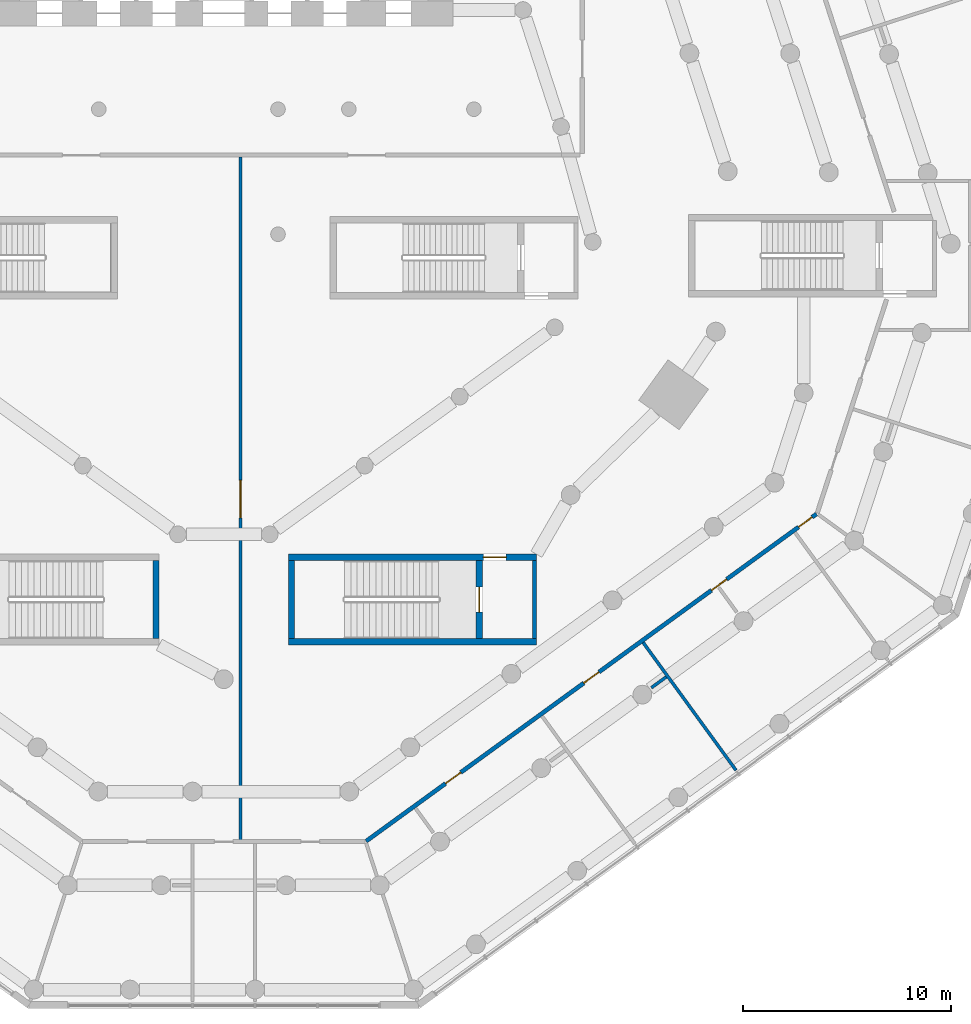
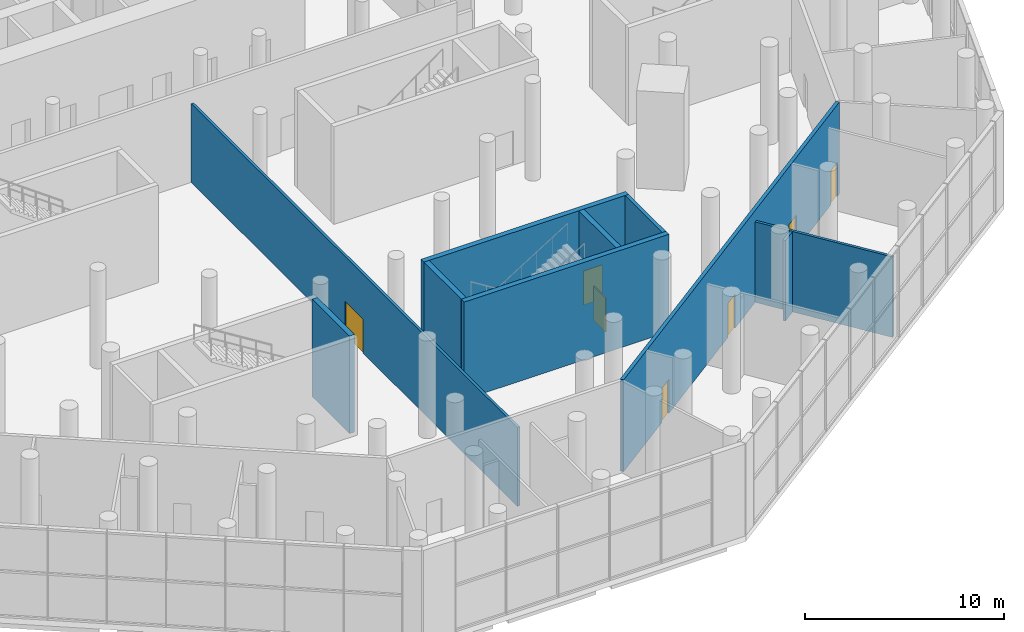
# One storey, part 13 of 23: 10 walls, 7 doors, 7 openings.
"""IFC4 building model written with IfcOpenShell, lengths in metres."""

from ifc_helpers import new_model, si_unit, direction, frame, frame_2d, origin, place, context, subcontext, project, spatial, rectangle, extrude, material, layer, layer_set, type_object, element, fill, save


model = new_model("IFC4")

# Units and contexts
model_context = context("Model", 3, precision=1e-05, world=origin(), true_north=direction((0.0, 1.0)))
body_context = subcontext(model_context, "Body", "Model", "MODEL_VIEW")
ifc_project = project(units=[si_unit("LENGTHUNIT", "METRE"), si_unit("AREAUNIT", "SQUARE_METRE"), si_unit("VOLUMEUNIT", "CUBIC_METRE"), si_unit("PLANEANGLEUNIT", "RADIAN"), si_unit("MASSUNIT", "GRAM", prefix="KILO")], contexts=[model_context])

# Site, building, storey
site_placement = place(None, origin())
site = spatial("IfcSite", under=ifc_project, at=site_placement, CompositionType="ELEMENT")
building_placement = place(site_placement, origin())
building = spatial("IfcBuilding", under=site, at=building_placement, Name="White Candle Pilgrim Tower", CompositionType="ELEMENT")
storey_placement = place(building_placement, frame((0.0, 0.0, 9.0)))
storey = spatial("IfcBuildingStorey", under=building, at=storey_placement, Name="L01", CompositionType="ELEMENT", Elevation=9.0)

# Wall
ifc_material_1 = material(Name="Concrete C70/85", Category="concrete")
ifc_layer_1 = layer(ifc_material_1, 0.199951171875)
ifc_layer_set_1 = layer_set([ifc_layer_1], Name="Core wall 200 mm Concrete C70/85")
wall_type_1 = type_object("IfcWallType", Name="Core wall 200 mm Concrete C70/85", PredefinedType="SHEAR", material=ifc_layer_set_1)
wall_1_placement = place(storey_placement, frame((84.89990234375, 41.60009765625, 0.0), z_axis=(0.0, 0.0, 1.0), x_axis=(0.0, 1.0, 0.0)))
element("IfcWall", 1, at=wall_1_placement, inside=storey, type_object=wall_type_1, Name="WL-L01-C08", PredefinedType="SHEAR", context=body_context, shape_type="SweptSolid", body=[
    extrude(rectangle(XDim=3.75, YDim=0.199951171875, at=frame_2d((1.875, 0.0))), origin(), (0.0, 0.0, 1.0), 6.0),
])

# Wall, openings, doors
ifc_material_2 = material(Name="Gypsum board on steel studs", Category="steel")
ifc_layer_2 = layer(ifc_material_2, 0.199951171875)
ifc_layer_set_2 = layer_set([ifc_layer_2], Name="Corridor wall 200 mm EI 45")
wall_type_2 = type_object("IfcWallType", Name="Corridor wall 200 mm EI 45", PredefinedType="PARTITIONING", material=ifc_layer_set_2)
wall_2_placement = place(storey_placement, frame((98.437255859375, 47.578857421875, 0.0), z_axis=(0.0, 0.0, 1.0), x_axis=(-0.809016646189, -0.587785731529, 0.0)))
wall_2 = element("IfcWall", 2, at=wall_2_placement, inside=storey, type_object=wall_type_2, Name="WL-L01-P009", PredefinedType="PARTITIONING", context=body_context, shape_type="SweptSolid", body=[
    extrude(rectangle(XDim=26.708251953125, YDim=0.199951171875, at=frame_2d((13.35400390625, 0.0))), origin(), (0.0, 0.0, 1.0), 5.64990234375),
])
opening_1_placement = place(wall_2_placement, frame((21.097412109375, 0.0, 0.0)))
opening_1 = element("IfcOpeningElement", 3, at=opening_1_placement, cuts=wall_2, Name="Opening L01-113", PredefinedType="OPENING", context=body_context, shape_type="SweptSolid", body=[
    extrude(rectangle(XDim=0.89990234375, YDim=2.10009765625, at=frame_2d((0.449951171875, 1.050048828125))), frame((0.0, 0.10986328125, 0.0), z_axis=(0.0, -1.0, 0.0), x_axis=(1.0, 0.0, 0.0)), (0.0, 0.0, 1.0), 0.219970703125),
])
opening_2_placement = place(wall_2_placement, frame((12.904052734375, 0.0, 0.0)))
opening_2 = element("IfcOpeningElement", 4, at=opening_2_placement, cuts=wall_2, Name="Opening L01-114", PredefinedType="OPENING", context=body_context, shape_type="SweptSolid", body=[
    extrude(rectangle(XDim=0.89990234375, YDim=2.10009765625, at=frame_2d((0.449951171875, 1.050048828125))), frame((0.0, 0.10986328125, 0.0), z_axis=(0.0, -1.0, 0.0), x_axis=(1.0, 0.0, 0.0)), (0.0, 0.0, 1.0), 0.219970703125),
])
opening_3_placement = place(wall_2_placement, frame((5.3291015625, 0.0, 0.0)))
opening_3 = element("IfcOpeningElement", 5, at=opening_3_placement, cuts=wall_2, Name="Opening L01-115", PredefinedType="OPENING", context=body_context, shape_type="SweptSolid", body=[
    extrude(rectangle(XDim=0.89990234375, YDim=2.10009765625, at=frame_2d((0.449951171875, 1.050048828125))), frame((0.0, 0.10986328125, 0.0), z_axis=(0.0, -1.0, 0.0), x_axis=(1.0, 0.0, 0.0)), (0.0, 0.0, 1.0), 0.219970703125),
])
opening_4_placement = place(wall_2_placement, frame((0.2607421875, 0.0, 0.0)))
opening_4 = element("IfcOpeningElement", 6, at=opening_4_placement, cuts=wall_2, Name="Opening L01-116", PredefinedType="OPENING", context=body_context, shape_type="SweptSolid", body=[
    extrude(rectangle(XDim=0.800048828125, YDim=2.10009765625, at=frame_2d((0.39990234375, 1.050048828125))), frame((0.0, 0.10986328125, 0.0), z_axis=(0.0, -1.0, 0.0), x_axis=(1.0, 0.0, 0.0)), (0.0, 0.0, 1.0), 0.219970703125),
])
ifc_material_3 = material(Name="Steel door leaf", Category="steel")
door_type_1 = type_object("IfcDoorType", Name="Fire door 800 x 2100 EI 30", OperationType="NOTDEFINED", PredefinedType="DOOR", material=ifc_material_3)
door_1_placement = place(opening_4_placement, origin())
door_1 = element("IfcDoor", 7, at=door_1_placement, inside=storey, type_object=door_type_1, Name="Door L01-116", OperationType="SINGLE_SWING_RIGHT", OverallHeight=2.10009765625, OverallWidth=0.800048828125, PredefinedType="DOOR", context=body_context, shape_type="SweptSolid", body=[
    extrude(rectangle(XDim=0.800048828125, YDim=2.10009765625, at=frame_2d((0.39990234375, 1.050048828125))), frame((0.0, 0.02490234375, 0.0), z_axis=(0.0, -1.0, 0.0), x_axis=(1.0, 0.0, 0.0)), (0.0, 0.0, 1.0), 0.050048828125),
])
fill(opening_4, door_1)
door_type_2 = type_object("IfcDoorType", Name="Fire door 900 x 2100 EI 30", OperationType="NOTDEFINED", PredefinedType="DOOR", material=ifc_material_3)
door_2_placement = place(opening_1_placement, origin())
door_2 = element("IfcDoor", 8, at=door_2_placement, inside=storey, type_object=door_type_2, Name="Door L01-113", OperationType="SINGLE_SWING_LEFT", OverallHeight=2.10009765625, OverallWidth=0.89990234375, PredefinedType="DOOR", context=body_context, shape_type="SweptSolid", body=[
    extrude(rectangle(XDim=0.89990234375, YDim=2.10009765625, at=frame_2d((0.449951171875, 1.050048828125))), frame((0.0, 0.02490234375, 0.0), z_axis=(0.0, -1.0, 0.0), x_axis=(1.0, 0.0, 0.0)), (0.0, 0.0, 1.0), 0.050048828125),
])
fill(opening_1, door_2)
door_3_placement = place(opening_2_placement, origin())
door_3 = element("IfcDoor", 9, at=door_3_placement, inside=storey, type_object=door_type_2, Name="Door L01-114", OperationType="SINGLE_SWING_RIGHT", OverallHeight=2.10009765625, OverallWidth=0.89990234375, PredefinedType="DOOR", context=body_context, shape_type="SweptSolid", body=[
    extrude(rectangle(XDim=0.89990234375, YDim=2.10009765625, at=frame_2d((0.449951171875, 1.050048828125))), frame((0.0, 0.02490234375, 0.0), z_axis=(0.0, -1.0, 0.0), x_axis=(1.0, 0.0, 0.0)), (0.0, 0.0, 1.0), 0.050048828125),
])
fill(opening_2, door_3)
door_4_placement = place(opening_3_placement, frame((0.89990234375, 0.0, 0.0), z_axis=(0.0, 0.0, 1.0), x_axis=(-1.0, 0.0, 0.0)))
door_4 = element("IfcDoor", 10, at=door_4_placement, inside=storey, type_object=door_type_2, Name="Door L01-115", OperationType="SINGLE_SWING_RIGHT", OverallHeight=2.10009765625, OverallWidth=0.89990234375, PredefinedType="DOOR", context=body_context, shape_type="SweptSolid", body=[
    extrude(rectangle(XDim=0.89990234375, YDim=2.10009765625, at=frame_2d((0.449951171875, 1.050048828125))), frame((0.0, 0.02490234375, 0.0), z_axis=(0.0, -1.0, 0.0), x_axis=(1.0, 0.0, 0.0)), (0.0, 0.0, 1.0), 0.050048828125),
])
fill(opening_3, door_4)

# Wall
ifc_layer_3 = layer(ifc_material_2, 0.14990234375)
ifc_layer_set_3 = layer_set([ifc_layer_3], Name="Partition 150 mm EI 60")
wall_type_3 = type_object("IfcWallType", Name="Partition 150 mm EI 60", PredefinedType="PARTITIONING", material=ifc_layer_set_3)
wall_3_placement = place(storey_placement, frame((94.57470703125, 35.279541015625, 0.0), z_axis=(0.0, 0.0, 1.0), x_axis=(-0.587779028788, 0.809021515979, 0.0)))
element("IfcWall", 11, at=wall_3_placement, inside=storey, type_object=wall_type_3, Name="WL-L01-P028", PredefinedType="PARTITIONING", context=body_context, shape_type="SweptSolid", body=[
    extrude(rectangle(XDim=7.579833984375, YDim=0.14990234375, at=frame_2d((3.7900390625, 0.0))), origin(), (0.0, 0.0, 1.0), 4.949951171875),
])

# Wall, opening, door
wall_4_placement = place(storey_placement, frame((70.800048828125, 64.699951171875, 0.0), z_axis=(0.0, 0.0, 1.0), x_axis=(0.0, -1.0, 0.0)))
wall_4 = element("IfcWall", 12, at=wall_4_placement, inside=storey, type_object=wall_type_3, Name="WL-L01-P036", PredefinedType="PARTITIONING", context=body_context, shape_type="SweptSolid", body=[
    extrude(rectangle(XDim=32.85888671875, YDim=0.14990234375, at=frame_2d((16.429443359375, 0.0))), origin(), (0.0, 0.0, 1.0), 4.85009765625),
])
opening_5_placement = place(wall_4_placement, frame((15.507080078125, 0.0, 0.0)))
opening_5 = element("IfcOpeningElement", 13, at=opening_5_placement, cuts=wall_4, Name="Opening L01-127", PredefinedType="OPENING", context=body_context, shape_type="SweptSolid", body=[
    extrude(rectangle(XDim=1.800048828125, YDim=2.10009765625, at=frame_2d((0.89990234375, 1.050048828125))), frame((0.0, 0.0849609375, 0.0), z_axis=(0.0, -1.0, 0.0), x_axis=(1.0, 0.0, 0.0)), (0.0, 0.0, 1.0), 0.169921875),
])
door_type_3 = type_object("IfcDoorType", Name="Fire door 1800 x 2100 EI 30", OperationType="NOTDEFINED", PredefinedType="DOOR", material=ifc_material_3)
door_5_placement = place(opening_5_placement, frame((1.800048828125, 0.0, 0.0), z_axis=(0.0, 0.0, 1.0), x_axis=(-1.0, 0.0, 0.0)))
door_5 = element("IfcDoor", 14, at=door_5_placement, inside=storey, type_object=door_type_3, Name="Door L01-127", OperationType="DOUBLE_DOOR_SINGLE_SWING", OverallHeight=2.10009765625, OverallWidth=1.800048828125, PredefinedType="DOOR", context=body_context, shape_type="SweptSolid", body=[
    extrude(rectangle(XDim=1.800048828125, YDim=2.10009765625, at=frame_2d((0.89990234375, 1.050048828125))), frame((0.0, 0.02490234375, 0.0), z_axis=(0.0, -1.0, 0.0), x_axis=(1.0, 0.0, 0.0)), (0.0, 0.0, 1.0), 0.050048828125),
])
fill(opening_5, door_5)

# Walls
wall_5_placement = place(storey_placement, frame((90.510986328125, 39.238525390625, 0.0), z_axis=(0.0, 0.0, 1.0), x_axis=(0.809069729339, 0.587712661993, 0.0)))
element("IfcWall", 15, at=wall_5_placement, inside=storey, type_object=wall_type_3, Name="WL-L01-P046", PredefinedType="PARTITIONING", context=body_context, shape_type="SweptSolid", body=[
    extrude(rectangle(XDim=0.8857421875, YDim=0.14990234375, at=frame_2d((0.44287109375, 0.0))), origin(), (0.0, 0.0, 1.0), 4.949951171875),
])
ifc_layer_4 = layer(ifc_material_1, 0.300048828125)
ifc_layer_set_4 = layer_set([ifc_layer_4], Name="Stair shaft wall 300 mm Concrete C70/85")
wall_type_4 = type_object("IfcWallType", Name="Stair shaft wall 300 mm Concrete C70/85", PredefinedType="SHEAR", material=ifc_layer_set_4)
wall_6_placement = place(storey_placement, frame((73.10009765625, 41.449951171875, 0.0), z_axis=(0.0, 0.0, 1.0), x_axis=(1.0, 0.0, 0.0)))
element("IfcWall", 16, at=wall_6_placement, inside=storey, type_object=wall_type_4, Name="WL-L01-C02", PredefinedType="SHEAR", context=body_context, shape_type="SweptSolid", body=[
    extrude(rectangle(XDim=11.89990234375, YDim=0.300048828125, at=frame_2d((5.949951171875, 0.0))), origin(), (0.0, 0.0, 1.0), 6.0),
])
for number, where, z_axis, x_axis, name in (
    (17, (66.75, 41.60009765625, 0.0), (0.0, 0.0, 1.0), (0.0, 1.0, 0.0), "WL-L01-C05"),
    (18, (73.25, 41.60009765625, 0.0), (0.0, 0.0, 1.0), (0.0, 1.0, 0.0), "WL-L01-C06"),
):
    element("IfcWall", number, at=place(storey_placement, frame(where, z_axis=z_axis, x_axis=x_axis)), inside=storey, type_object=wall_type_4, Name=name, PredefinedType="SHEAR", context=body_context, shape_type="SweptSolid", body=[
        extrude(rectangle(XDim=3.75, YDim=0.300048828125, at=frame_2d((1.875, 0.0))), origin(), (0.0, 0.0, 1.0), 6.0),
    ])

# Wall, opening, door
wall_7_placement = place(storey_placement, frame((82.25, 41.60009765625, 0.0), z_axis=(0.0, 0.0, 1.0), x_axis=(0.0, 1.0, 0.0)))
wall_7 = element("IfcWall", 19, at=wall_7_placement, inside=storey, type_object=wall_type_4, Name="WL-L01-C07", PredefinedType="SHEAR", context=body_context, shape_type="SweptSolid", body=[
    extrude(rectangle(XDim=3.75, YDim=0.300048828125, at=frame_2d((1.875, 0.0))), origin(), (0.0, 0.0, 1.0), 6.0),
])
opening_6_placement = place(wall_7_placement, frame((1.27490234375, 0.0, 0.0)))
opening_6 = element("IfcOpeningElement", 20, at=opening_6_placement, cuts=wall_7, Name="Opening L01-014", PredefinedType="OPENING", context=body_context, shape_type="SweptSolid", body=[
    extrude(rectangle(XDim=1.199951171875, YDim=2.10009765625, at=frame_2d((0.60009765625, 1.050048828125))), frame((0.0, 0.159912109375, 0.0), z_axis=(0.0, -1.0, 0.0), x_axis=(1.0, 0.0, 0.0)), (0.0, 0.0, 1.0), 0.320068359375),
])
door_type_4 = type_object("IfcDoorType", Name="Fire door 1200 x 2100 EI 60", OperationType="NOTDEFINED", PredefinedType="DOOR", material=ifc_material_3)
door_6_placement = place(opening_6_placement, origin())
door_6 = element("IfcDoor", 21, at=door_6_placement, inside=storey, type_object=door_type_4, Name="Door L01-014", OperationType="SINGLE_SWING_RIGHT", OverallHeight=2.10009765625, OverallWidth=1.199951171875, PredefinedType="DOOR", context=body_context, shape_type="SweptSolid", body=[
    extrude(rectangle(XDim=1.199951171875, YDim=2.10009765625, at=frame_2d((0.60009765625, 1.050048828125))), frame((0.0, 0.02490234375, 0.0), z_axis=(0.0, -1.0, 0.0), x_axis=(1.0, 0.0, 0.0)), (0.0, 0.0, 1.0), 0.050048828125),
])
fill(opening_6, door_6)

wall_8_placement = place(storey_placement, frame((73.10009765625, 45.5, 0.0), z_axis=(0.0, 0.0, 1.0), x_axis=(1.0, 0.0, 0.0)))
wall_8 = element("IfcWall", 22, at=wall_8_placement, inside=storey, type_object=wall_type_4, Name="WL-L01-C10", PredefinedType="SHEAR", context=body_context, shape_type="SweptSolid", body=[
    extrude(rectangle(XDim=11.89990234375, YDim=0.300048828125, at=frame_2d((5.949951171875, 0.0))), origin(), (0.0, 0.0, 1.0), 6.0),
])
opening_7_placement = place(wall_8_placement, frame((9.35009765625, 0.0, 0.0)))
opening_7 = element("IfcOpeningElement", 23, at=opening_7_placement, cuts=wall_8, Name="Opening L01-013", PredefinedType="OPENING", context=body_context, shape_type="SweptSolid", body=[
    extrude(rectangle(XDim=1.10009765625, YDim=2.10009765625, at=frame_2d((0.550048828125, 1.050048828125))), frame((0.0, 0.159912109375, 0.0), z_axis=(0.0, -1.0, 0.0), x_axis=(1.0, 0.0, 0.0)), (0.0, 0.0, 1.0), 0.320068359375),
])
door_type_5 = type_object("IfcDoorType", Name="Fire door 1100 x 2100 EI 60", OperationType="NOTDEFINED", PredefinedType="DOOR", material=ifc_material_3)
door_7_placement = place(opening_7_placement, frame((1.10009765625, 0.0, 0.0), z_axis=(0.0, 0.0, 1.0), x_axis=(-1.0, 0.0, 0.0)))
door_7 = element("IfcDoor", 24, at=door_7_placement, inside=storey, type_object=door_type_5, Name="Door L01-013", OperationType="SINGLE_SWING_RIGHT", OverallHeight=2.10009765625, OverallWidth=1.10009765625, PredefinedType="DOOR", context=body_context, shape_type="SweptSolid", body=[
    extrude(rectangle(XDim=1.10009765625, YDim=2.10009765625, at=frame_2d((0.550048828125, 1.050048828125))), frame((0.0, 0.02490234375, 0.0), z_axis=(0.0, -1.0, 0.0), x_axis=(1.0, 0.0, 0.0)), (0.0, 0.0, 1.0), 0.050048828125),
])
fill(opening_7, door_7)

save(model, "model.ifc")
